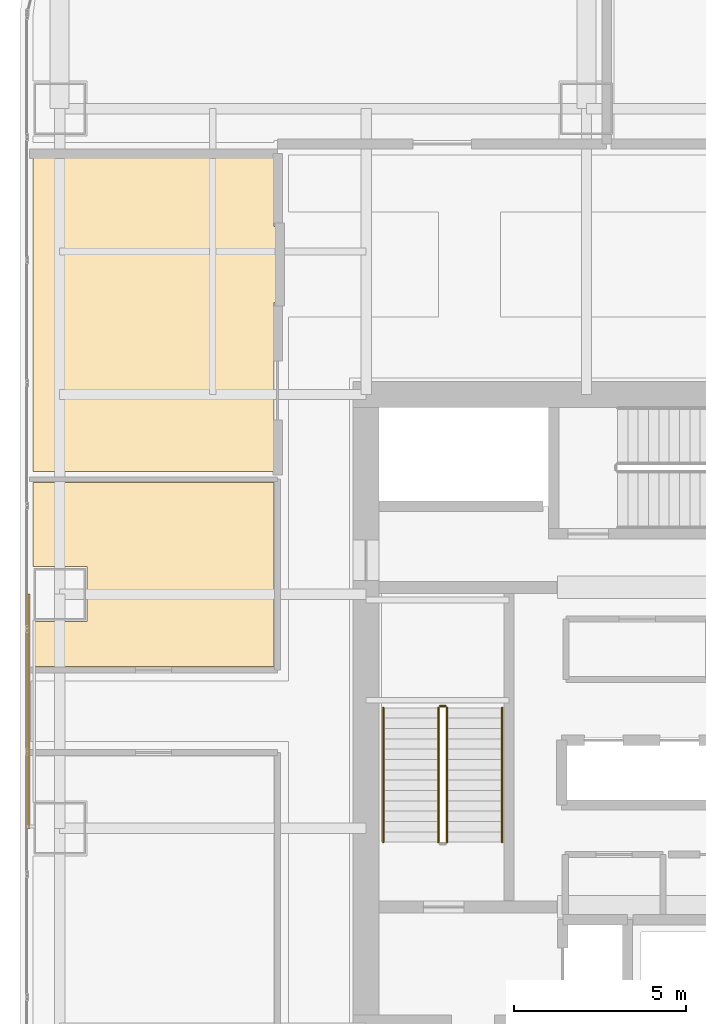
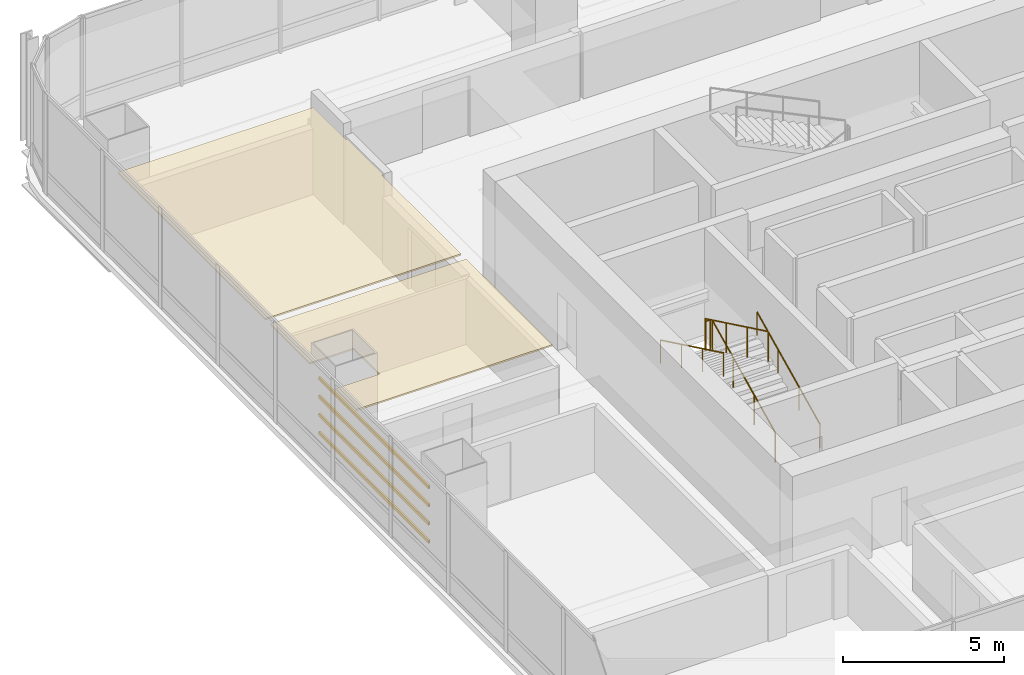
# One storey, part 31 of 34: 5 railings, 4 shading devices, 2 coverings.
"""IFC4 building model written with IfcOpenShell, lengths in metres."""

from ifc_helpers import new_model, si_unit, direction, frame, origin, origin_2d, place, context, subcontext, project, spatial, polyline, hollow_rectangle, circle, outline, extrude, material, layer, layer_set, material_profile, profile_set, type_object, element, save


model = new_model("IFC4")

# Units and contexts
model_context = context("Model", 3, precision=1e-05, world=origin(), true_north=direction((0.0, 1.0)))
body_context = subcontext(model_context, "Body", "Model", "MODEL_VIEW")
ifc_project = project(units=[si_unit("LENGTHUNIT", "METRE"), si_unit("AREAUNIT", "SQUARE_METRE"), si_unit("VOLUMEUNIT", "CUBIC_METRE"), si_unit("PLANEANGLEUNIT", "RADIAN"), si_unit("MASSUNIT", "GRAM", prefix="KILO")], contexts=[model_context])

# Site, building, storey
site_placement = place(None, origin())
site = spatial("IfcSite", under=ifc_project, at=site_placement, CompositionType="ELEMENT")
building_placement = place(site_placement, origin())
building = spatial("IfcBuilding", under=site, at=building_placement, Name="Punatoya Terracotta Tower", CompositionType="ELEMENT")
storey_placement = place(building_placement, frame((0.0, 0.0, 105.14990234375)))
storey = spatial("IfcBuildingStorey", under=building, at=storey_placement, Name="L24", CompositionType="ELEMENT", Elevation=105.14990234375)

# Coverings
ifc_material_1 = material(Name="Acoustic Mineral Fibre Ceiling")
ifc_layer = layer(ifc_material_1, 0.06005859375)
ifc_layer_set = layer_set([ifc_layer], Name="Acoustic Mineral Fibre Ceiling")
covering_type = type_object("IfcCoveringType", Name="COV-CEIL-60", PredefinedType="CEILING", material=ifc_layer_set)
covering_1_placement = place(storey_placement, frame((0.0, 0.0, 3.2001953125)))
element("IfcCovering", 1, at=covering_1_placement, inside=storey, type_object=covering_type, Name="L24 Open-Plan Wellness Relaxation Lounge Acoustic Ceiling", PredefinedType="CEILING", context=body_context, shape_type="SweptSolid", body=[
    extrude(outline(polyline([(-12.8701171875, 1.300048828125), (-12.8701171875, 6.637939453125), (-19.8701171875, 6.637939453125), (-19.8701171875, 4.199951171875), (-18.300048828125, 4.199951171875), (-18.300048828125, 2.60009765625), (-19.8701171875, 2.60009765625), (-19.8701171875, 1.300048828125), (-12.8701171875, 1.300048828125)])), origin(), (0.0, 0.0, 1.0), 0.059814453125),
])
covering_2_placement = place(storey_placement, frame((0.0, 0.0, 3.2001953125)))
element("IfcCovering", 2, at=covering_2_placement, inside=storey, type_object=covering_type, Name="L24 Waterfront Club Lounge Acoustic Ceiling", PredefinedType="CEILING", context=body_context, shape_type="SweptSolid", body=[
    extrude(outline(polyline([(-12.8701171875, 6.9580078125), (-12.8701171875, 11.8701171875), (-12.81005859375, 11.8701171875), (-12.81005859375, 14.080078125), (-12.8701171875, 14.080078125), (-12.8701171875, 16.090087890625), (-19.8701171875, 16.090087890625), (-19.8701171875, 6.9580078125), (-12.8701171875, 6.9580078125)])), origin(), (0.0, 0.0, 1.0), 0.059814453125),
])

# Railings
ifc_material_2 = material(Name="Steel S355", Category="steel")
railing_type_1 = type_object("IfcRailingType", Name="RLG-GRD-1150", PredefinedType="GUARDRAIL", material=ifc_material_2)
railing_1_placement = place(storey_placement, frame((-7.85009765625, -3.800048828125, 0.144775390625)))
element("IfcRailing", 3, at=railing_1_placement, inside=storey, type_object=railing_type_1, Name="L24 ST-1 stair guard 1", PredefinedType="GUARDRAIL", context=body_context, shape_type="SweptSolid", body=[
    extrude(circle(Radius=0.02392578125, at=origin_2d()), frame((0.0, 0.0, 1.1259765625), z_axis=(0.0, 0.900773802044, 0.434288564841), x_axis=(-1.0, 0.0, 0.0)), (0.0, 0.0, 1.0), 4.329833984375),
    extrude(circle(Radius=0.02099609375, at=origin_2d()), origin(), (0.0, 0.0, 1.0), 1.101806640625),
    extrude(circle(Radius=0.02099609375, at=origin_2d()), frame((0.0, 1.300048828125, 0.626708984375)), (0.0, 0.0, 1.0), 1.101806640625),
    extrude(circle(Radius=0.02099609375, at=origin_2d()), frame((0.0, 2.60009765625, 1.253662109375)), (0.0, 0.0, 1.0), 1.101806640625),
    extrude(circle(Radius=0.02099609375, at=origin_2d()), frame((0.0, 3.900146484375, 1.88037109375)), (0.0, 0.0, 1.0), 1.101806640625),
])
railing_2_placement = place(storey_placement, frame((-7.89990234375, 0.14990234375, 2.025146484375)))
element("IfcRailing", 4, at=railing_2_placement, inside=storey, type_object=railing_type_1, Name="L24 ST-1 stair guard 2", PredefinedType="GUARDRAIL", context=body_context, shape_type="SweptSolid", body=[
    extrude(circle(Radius=0.02392578125, at=origin_2d()), frame((0.0, 0.0, 1.1259765625), z_axis=(-1.0, 0.0, 0.0), x_axis=(0.0, -1.0, 0.0)), (0.0, 0.0, 1.0), 0.150146484375),
    extrude(circle(Radius=0.02099609375, at=origin_2d()), origin(), (0.0, 0.0, 1.0), 1.101806640625),
    extrude(circle(Radius=0.02099609375, at=origin_2d()), frame((-0.150146484375, 0.0, 0.0)), (0.0, 0.0, 1.0), 1.101806640625),
])
railing_3_placement = place(storey_placement, frame((-8.10009765625, 0.10009765625, 2.169677734375)))
element("IfcRailing", 5, at=railing_3_placement, inside=storey, type_object=railing_type_1, Name="L24 ST-1 stair guard 3", PredefinedType="GUARDRAIL", context=body_context, shape_type="SweptSolid", body=[
    extrude(circle(Radius=0.02392578125, at=origin_2d()), frame((0.0, 0.0, 1.1259765625), z_axis=(0.0, -0.900773802044, 0.434288564841), x_axis=(1.0, 0.0, 0.0)), (0.0, 0.0, 1.0), 4.329833984375),
    extrude(circle(Radius=0.02099609375, at=origin_2d()), origin(), (0.0, 0.0, 1.0), 1.101806640625),
    extrude(circle(Radius=0.02099609375, at=origin_2d()), frame((0.0, -1.300048828125, 0.626708984375)), (0.0, 0.0, 1.0), 1.101806640625),
    extrude(circle(Radius=0.02099609375, at=origin_2d()), frame((0.0, -2.60009765625, 1.253662109375)), (0.0, 0.0, 1.0), 1.101806640625),
    extrude(circle(Radius=0.02099609375, at=origin_2d()), frame((0.0, -3.900146484375, 1.88037109375)), (0.0, 0.0, 1.0), 1.101806640625),
])
railing_type_2 = type_object("IfcRailingType", Name="RLG-HND-900", PredefinedType="HANDRAIL", material=ifc_material_2)
railing_4_placement = place(storey_placement, frame((-6.25, -3.800048828125, 0.144775390625)))
element("IfcRailing", 6, at=railing_4_placement, inside=storey, type_object=railing_type_2, Name="L24 ST-1 stair handrail 1", PredefinedType="HANDRAIL", context=body_context, shape_type="SweptSolid", body=[
    extrude(circle(Radius=0.02392578125, at=origin_2d()), frame((0.0, 0.0, 0.8759765625), z_axis=(0.0, 0.900773802044, 0.434288564841), x_axis=(-1.0, 0.0, 0.0)), (0.0, 0.0, 1.0), 4.329833984375),
    extrude(circle(Radius=0.02099609375, at=origin_2d()), origin(), (0.0, 0.0, 1.0), 0.851806640625),
    extrude(circle(Radius=0.02099609375, at=origin_2d()), frame((0.0, 1.300048828125, 0.626708984375)), (0.0, 0.0, 1.0), 0.851806640625),
    extrude(circle(Radius=0.02099609375, at=origin_2d()), frame((0.0, 2.60009765625, 1.253662109375)), (0.0, 0.0, 1.0), 0.851806640625),
    extrude(circle(Radius=0.02099609375, at=origin_2d()), frame((0.0, 3.900146484375, 1.88037109375)), (0.0, 0.0, 1.0), 0.851806640625),
])
railing_5_placement = place(storey_placement, frame((-9.699951171875, 0.10009765625, 2.169677734375)))
element("IfcRailing", 7, at=railing_5_placement, inside=storey, type_object=railing_type_2, Name="L24 ST-1 stair handrail 2", PredefinedType="HANDRAIL", context=body_context, shape_type="SweptSolid", body=[
    extrude(circle(Radius=0.02392578125, at=origin_2d()), frame((0.0, 0.0, 0.8759765625), z_axis=(0.0, -0.900773802044, 0.434288564841), x_axis=(1.0, 0.0, 0.0)), (0.0, 0.0, 1.0), 4.329833984375),
    extrude(circle(Radius=0.02099609375, at=origin_2d()), origin(), (0.0, 0.0, 1.0), 0.851806640625),
    extrude(circle(Radius=0.02099609375, at=origin_2d()), frame((0.0, -1.300048828125, 0.626708984375)), (0.0, 0.0, 1.0), 0.851806640625),
    extrude(circle(Radius=0.02099609375, at=origin_2d()), frame((0.0, -2.60009765625, 1.253662109375)), (0.0, 0.0, 1.0), 0.851806640625),
    extrude(circle(Radius=0.02099609375, at=origin_2d()), frame((0.0, -3.900146484375, 1.88037109375)), (0.0, 0.0, 1.0), 0.851806640625),
])

# Shading devices
ifc_material_3 = material(Name="Architectural Fired Terracotta", Category="masonry")
ifc_material_profile = material_profile(ifc_material_3, hollow_rectangle(XDim=0.06494140625, YDim=0.1201171875, WallThickness=0.014892578125, at=origin_2d()))
ifc_profile_set = profile_set([ifc_material_profile], Name="Architectural Fired Terracotta")
shading_device_type = type_object("IfcShadingDeviceType", Name="SHD-BAG-120", PredefinedType="USERDEFINED", material=ifc_profile_set)
for number, where, z_axis, x_axis, name in (
    (8, (-19.989990234375, -3.39990234375, 1.150146484375), (0.0, 1.0, 0.0), (-1.0, 0.0, 0.0), "L24 Fired Terracotta Baguette Louvre BAG-L24-W-01"),
    (9, (-19.989990234375, -3.39990234375, 1.8369140625), (0.0, 1.0, 0.0), (-1.0, 0.0, 0.0), "L24 Fired Terracotta Baguette Louvre BAG-L24-W-02"),
    (10, (-19.989990234375, -3.39990234375, 2.5234375), (0.0, 1.0, 0.0), (-1.0, 0.0, 0.0), "L24 Fired Terracotta Baguette Louvre BAG-L24-W-03"),
    (11, (-19.989990234375, -3.39990234375, 3.210205078125), (0.0, 1.0, 0.0), (-1.0, 0.0, 0.0), "L24 Fired Terracotta Baguette Louvre BAG-L24-W-04"),
):
    element("IfcShadingDevice", number, at=place(storey_placement, frame(where, z_axis=z_axis, x_axis=x_axis)), inside=storey, type_object=shading_device_type, Name=name, ObjectType="BAGUETTE", PredefinedType="USERDEFINED", context=body_context, shape_type="SweptSolid", body=[
        extrude(hollow_rectangle(XDim=0.06494140625, YDim=0.1201171875, WallThickness=0.014892578125, at=origin_2d()), origin(), (0.0, 0.0, 1.0), 6.7998046875),
    ])

save(model, "model.ifc")
